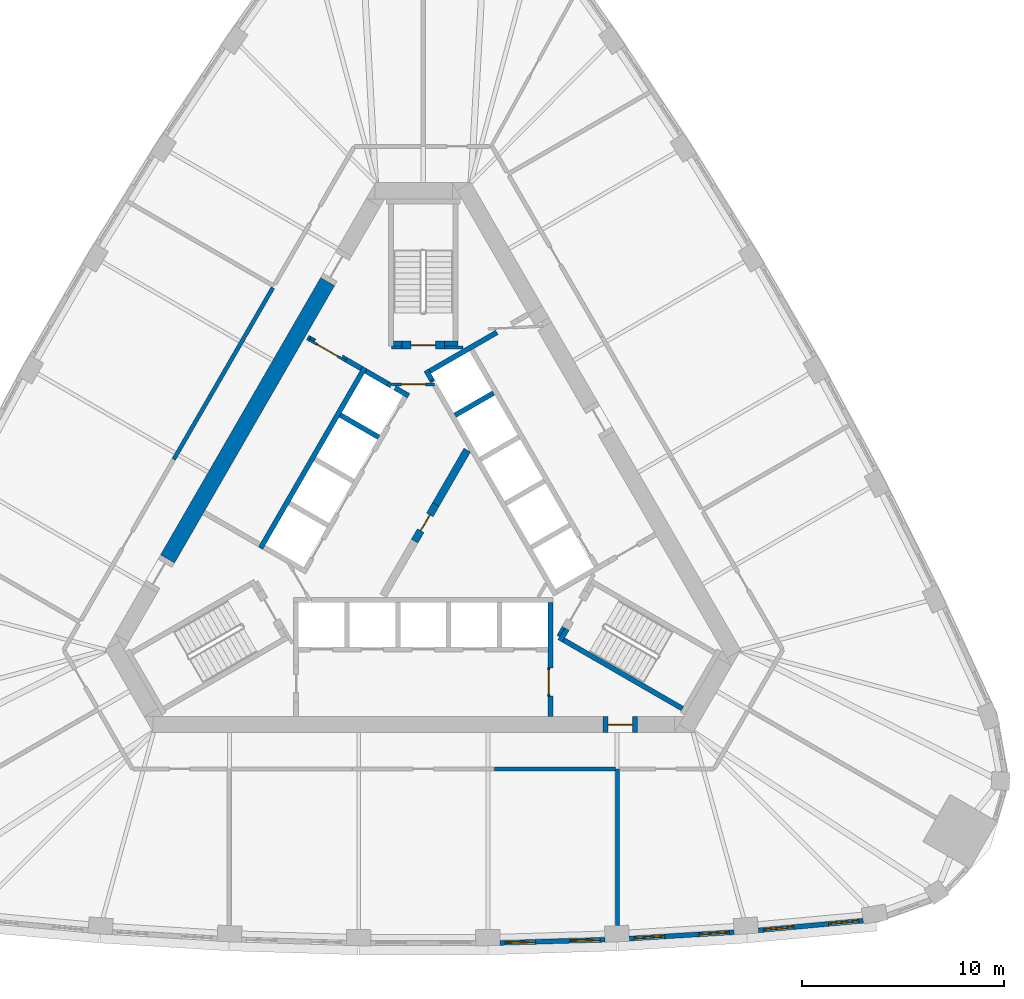
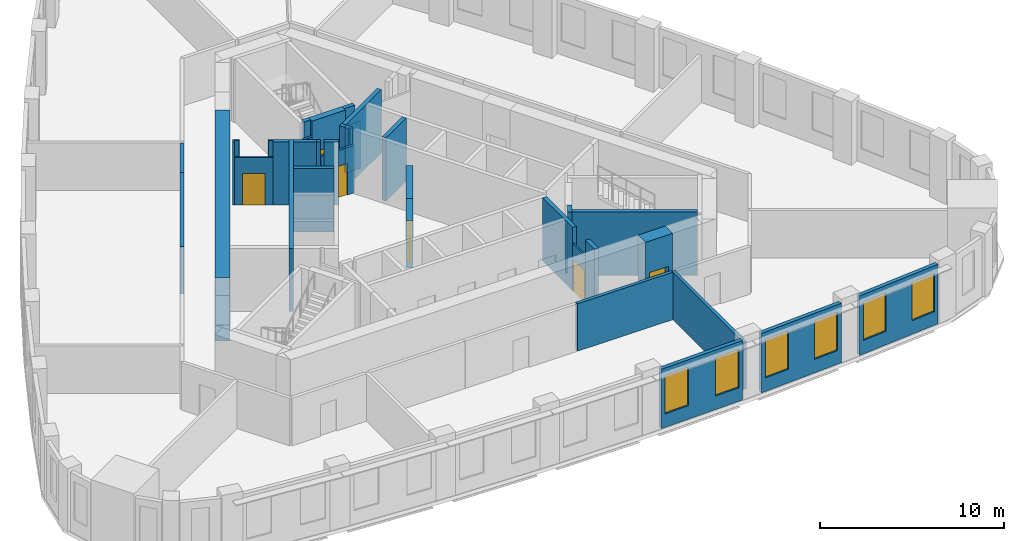
# One storey, part 5 of 9: 37 walls, 6 doors, 6 windows, 12 openings.
"""IFC4 building model written with IfcOpenShell, lengths in metres."""

from ifc_helpers import new_model, si_unit, direction, frame, frame_2d, origin, place, context, subcontext, project, spatial, polyline, rectangle, outline, extrude, material, layer, layer_set, type_object, element, fill, save


model = new_model("IFC4")

# Units and contexts
model_context = context("Model", 3, precision=1e-05, world=origin(), true_north=direction((0.0, 1.0)))
body_context = subcontext(model_context, "Body", "Model", "MODEL_VIEW")
ifc_project = project(units=[si_unit("LENGTHUNIT", "METRE"), si_unit("AREAUNIT", "SQUARE_METRE"), si_unit("VOLUMEUNIT", "CUBIC_METRE"), si_unit("PLANEANGLEUNIT", "RADIAN"), si_unit("MASSUNIT", "GRAM", prefix="KILO")], contexts=[model_context])

# Site, building, storey
site_placement = place(None, origin())
site = spatial("IfcSite", under=ifc_project, at=site_placement, CompositionType="ELEMENT")
building_placement = place(site_placement, origin())
building = spatial("IfcBuilding", under=site, at=building_placement, Name="Mestral Congress Tower", CompositionType="ELEMENT")
storey_placement = place(building_placement, frame((0.0, 0.0, 183.60009765625)))
storey = spatial("IfcBuildingStorey", under=building, at=storey_placement, Name="L43", CompositionType="ELEMENT", Elevation=183.60009765625)

# Walls
ifc_material_1 = material(Name="Fire-rated board partition")
ifc_layer_1 = layer(ifc_material_1, 0.14990234375)
ifc_layer_set_1 = layer_set([ifc_layer_1], Name="Fire-rated board partition")
wall_type_1 = type_object("IfcWallType", Name="Core partition 150", PredefinedType="PARTITIONING", material=ifc_layer_set_1)
wall_1_placement = place(storey_placement, frame((1.050048828125, 8.62548828125, 0.0), z_axis=(0.0, 0.0, 1.0), x_axis=(1.0, 0.0, 0.0)))
element("IfcWall", 1, at=wall_1_placement, inside=storey, type_object=wall_type_1, Name="L43 core wall", PredefinedType="PARTITIONING", context=body_context, shape_type="SweptSolid", body=[
    extrude(rectangle(XDim=0.9287109375, YDim=0.14990234375, at=frame_2d((0.46435546875, 0.0))), origin(), (0.0, 0.0, 1.0), 3.14990234375),
])
for number, where, z_axis, x_axis, name in (
    (2, (-1.56396484375, 8.62548828125, 0.0), (0.0, 0.0, 1.0), (1.0, 0.0, 0.0), "L43 core wall"),
    (3, (6.94482421875, -5.22216796875, 0.0), (0.0, 0.0, 1.0), (-0.499818422106, -0.866130212453, 0.0), "L43 core wall"),
):
    element("IfcWall", number, at=place(storey_placement, frame(where, z_axis=z_axis, x_axis=x_axis)), inside=storey, type_object=wall_type_1, Name=name, PredefinedType="PARTITIONING", context=body_context, shape_type="SweptSolid", body=[
        extrude(rectangle(XDim=0.513916015625, YDim=0.14990234375, at=frame_2d((0.2568359375, 0.0))), origin(), (0.0, 0.0, 1.0), 3.14990234375),
    ])
placement = place(storey_placement, origin())
element("IfcWall", 4, at=placement, inside=storey, type_object=wall_type_1, Name="L43 core wall", PredefinedType="PARTITIONING", context=body_context, shape_type="SweptSolid", body=[
    extrude(outline(polyline([(2.016845703125, 3.64306640625), (2.341552734375, 3.45556640625), (0.784912109375, 0.759521484375), (0.460205078125, 0.947021484375), (2.016845703125, 3.64306640625)])), origin(), (0.0, 0.0, 1.0), 3.14990234375),
])

# Wall, opening, door
wall_3_placement = place(storey_placement, frame((-1.534423828125, 6.800048828125, 0.0), z_axis=(0.0, 0.0, 1.0), x_axis=(1.0, 0.0, 0.0)))
wall_3 = element("IfcWall", 5, at=wall_3_placement, inside=storey, type_object=wall_type_1, Name="L43 door wall", PredefinedType="PARTITIONING", context=body_context, shape_type="SweptSolid", body=[
    extrude(rectangle(XDim=2.099853515625, YDim=0.14990234375, at=frame_2d((1.0498046875, 0.0))), origin(), (0.0, 0.0, 1.0), 3.14990234375),
])
opening_1_placement = place(wall_3_placement, frame((0.449951171875, 0.0, 0.0)))
opening_1 = element("IfcOpeningElement", 6, at=opening_1_placement, cuts=wall_3, Name="Opening CD2-FF", PredefinedType="OPENING", context=body_context, shape_type="SweptSolid", body=[
    extrude(rectangle(XDim=1.199951171875, YDim=2.10009765625, at=frame_2d((0.60009765625, 1.050048828125))), frame((0.0, 0.0849609375, 0.0), z_axis=(0.0, -1.0, 0.0), x_axis=(1.0, 0.0, 0.0)), (0.0, 0.0, 1.0), 0.169921875),
])
ifc_material_2 = material(Name="Fire-rated steel door set", Category="steel")
door_type_1 = type_object("IfcDoorType", Name="Core door CD 1200x2100", OperationType="SINGLE_SWING_LEFT", PredefinedType="DOOR", material=ifc_material_2)
door_1_placement = place(opening_1_placement, origin())
door_1 = element("IfcDoor", 7, at=door_1_placement, inside=storey, type_object=door_type_1, Name="Door CD2-FF", OperationType="SINGLE_SWING_LEFT", OverallHeight=2.10009765625, OverallWidth=1.199951171875, PredefinedType="DOOR", context=body_context, shape_type="SweptSolid", body=[
    extrude(rectangle(XDim=1.199951171875, YDim=2.10009765625, at=frame_2d((0.60009765625, 1.050048828125))), frame((0.0, 0.02490234375, 0.0), z_axis=(0.0, -1.0, 0.0), x_axis=(1.0, 0.0, 0.0)), (0.0, 0.0, 1.0), 0.050048828125),
])
fill(opening_1, door_1)

ifc_layer_2 = layer(ifc_material_1, 0.1201171875)
ifc_layer_set_2 = layer_set([ifc_layer_2], Name="Fire-rated board partition")
wall_type_2 = type_object("IfcWallType", Name="Core partition 150 door-wall 120", PredefinedType="PARTITIONING", material=ifc_layer_set_2)
wall_4_placement = place(storey_placement, frame((-5.65869140625, 9.01171875, 0.0), z_axis=(0.0, 0.0, 1.0), x_axis=(0.866009402589, -0.500027713859, 0.0)))
wall_4 = element("IfcWall", 8, at=wall_4_placement, inside=storey, type_object=wall_type_2, Name="L43 door wall", PredefinedType="PARTITIONING", context=body_context, shape_type="SweptSolid", body=[
    extrude(rectangle(XDim=2.10009765625, YDim=0.1201171875, at=frame_2d((1.050048828125, 0.0))), origin(), (0.0, 0.0, 1.0), 3.14990234375),
])
opening_2_placement = place(wall_4_placement, frame((0.449951171875, 0.0, 0.0)))
opening_2 = element("IfcOpeningElement", 9, at=opening_2_placement, cuts=wall_4, Name="Opening LB2-WL2", PredefinedType="OPENING", context=body_context, shape_type="SweptSolid", body=[
    extrude(rectangle(XDim=1.199951171875, YDim=2.10009765625, at=frame_2d((0.60009765625, 1.050048828125))), frame((0.0, 0.070068359375, 0.0), z_axis=(0.0, -1.0, 0.0), x_axis=(1.0, 0.0, 0.0)), (0.0, 0.0, 1.0), 0.14013671875),
])
door_type_2 = type_object("IfcDoorType", Name="Core door LB 1200x2100", OperationType="SINGLE_SWING_LEFT", PredefinedType="DOOR", material=ifc_material_2)
door_2_placement = place(opening_2_placement, origin())
door_2 = element("IfcDoor", 10, at=door_2_placement, inside=storey, type_object=door_type_2, Name="Door LB2-WL2", OperationType="SINGLE_SWING_LEFT", OverallHeight=2.10009765625, OverallWidth=1.199951171875, PredefinedType="DOOR", context=body_context, shape_type="SweptSolid", body=[
    extrude(rectangle(XDim=1.199951171875, YDim=2.10009765625, at=frame_2d((0.60009765625, 1.050048828125))), frame((0.0, 0.02490234375, 0.0), z_axis=(0.0, -1.0, 0.0), x_axis=(1.0, 0.0, 0.0)), (0.0, 0.0, 1.0), 0.050048828125),
])
fill(opening_2, door_2)

ifc_layer_3 = layer(ifc_material_1, 0.375)
ifc_layer_set_3 = layer_set([ifc_layer_3], Name="Fire-rated board partition")
wall_type_3 = type_object("IfcWallType", Name="Core partition 150 door-wall 375", PredefinedType="PARTITIONING", material=ifc_layer_set_3)
wall_5_placement = place(storey_placement, frame((-0.427490234375, -0.965576171875, 0.0), z_axis=(0.0, 0.0, 1.0), x_axis=(0.49994051562, 0.866059744384, 0.0)))
wall_5 = element("IfcWall", 11, at=wall_5_placement, inside=storey, type_object=wall_type_3, Name="L43 door wall", PredefinedType="PARTITIONING", context=body_context, shape_type="SweptSolid", body=[
    extrude(rectangle(XDim=2.099853515625, YDim=0.375, at=frame_2d((1.0498046875, 0.0))), origin(), (0.0, 0.0, 1.0), 3.14990234375),
])
opening_3_placement = place(wall_5_placement, frame((0.60009765625, 0.0, 0.0)))
opening_3 = element("IfcOpeningElement", 12, at=opening_3_placement, cuts=wall_5, Name="Opening CD1-HUB0", PredefinedType="OPENING", context=body_context, shape_type="SweptSolid", body=[
    extrude(rectangle(XDim=0.89990234375, YDim=2.10009765625, at=frame_2d((0.449951171875, 1.050048828125))), frame((0.0, 0.197509765625, 0.0), z_axis=(0.0, -1.0, 0.0), x_axis=(1.0, 0.0, 0.0)), (0.0, 0.0, 1.0), 0.39501953125),
])
door_type_3 = type_object("IfcDoorType", Name="Core door CD 900x2100", OperationType="SINGLE_SWING_LEFT", PredefinedType="DOOR", material=ifc_material_2)
door_3_placement = place(opening_3_placement, origin())
door_3 = element("IfcDoor", 13, at=door_3_placement, inside=storey, type_object=door_type_3, Name="Door CD1-HUB0", OperationType="SINGLE_SWING_LEFT", OverallHeight=2.10009765625, OverallWidth=0.89990234375, PredefinedType="DOOR", context=body_context, shape_type="SweptSolid", body=[
    extrude(rectangle(XDim=0.89990234375, YDim=2.10009765625, at=frame_2d((0.449951171875, 1.050048828125))), frame((0.0, 0.02490234375, 0.0), z_axis=(0.0, -1.0, 0.0), x_axis=(1.0, 0.0, 0.0)), (0.0, 0.0, 1.0), 0.050048828125),
])
fill(opening_3, door_3)

ifc_layer_4 = layer(ifc_material_1, 0.090087890625)
ifc_layer_set_4 = layer_set([ifc_layer_4], Name="Fire-rated board partition")
wall_type_4 = type_object("IfcWallType", Name="Core partition 150 door-wall 90", PredefinedType="PARTITIONING", material=ifc_layer_set_4)
wall_6_placement = place(storey_placement, frame((6.219970703125, -7.23681640625, 0.0), z_axis=(0.0, 0.0, 1.0), x_axis=(0.0, -1.0, 0.0)))
wall_6 = element("IfcWall", 14, at=wall_6_placement, inside=storey, type_object=wall_type_4, Name="L43 door wall", PredefinedType="PARTITIONING", context=body_context, shape_type="SweptSolid", body=[
    extrude(rectangle(XDim=1.400146484375, YDim=0.090087890625, at=frame_2d((0.7001953125, 0.0))), origin(), (0.0, 0.0, 1.0), 3.14990234375),
])
opening_4_placement = place(wall_6_placement, frame((0.10009765625, 0.0, 0.0)))
opening_4 = element("IfcOpeningElement", 15, at=opening_4_placement, cuts=wall_6, Name="Opening LB0-WL1", PredefinedType="OPENING", context=body_context, shape_type="SweptSolid", body=[
    extrude(rectangle(XDim=1.199951171875, YDim=2.10009765625, at=frame_2d((0.60009765625, 1.050048828125))), frame((0.0, 0.054931640625, 0.0), z_axis=(0.0, -1.0, 0.0), x_axis=(1.0, 0.0, 0.0)), (0.0, 0.0, 1.0), 0.110107421875),
])
door_4_placement = place(opening_4_placement, origin())
door_4 = element("IfcDoor", 16, at=door_4_placement, inside=storey, type_object=door_type_2, Name="Door LB0-WL1", OperationType="SINGLE_SWING_LEFT", OverallHeight=2.10009765625, OverallWidth=1.199951171875, PredefinedType="DOOR", context=body_context, shape_type="SweptSolid", body=[
    extrude(rectangle(XDim=1.199951171875, YDim=2.10009765625, at=frame_2d((0.60009765625, 1.050048828125))), frame((0.0, 0.02490234375, 0.0), z_axis=(0.0, -1.0, 0.0), x_axis=(1.0, 0.0, 0.0)), (0.0, 0.0, 1.0), 0.050048828125),
])
fill(opening_4, door_4)

# Wall
ifc_material_3 = material(Name="Concrete C60/75", Category="concrete")
ifc_layer_5 = layer(ifc_material_3, 0.800048828125)
ifc_layer_set_5 = layer_set([ifc_layer_5], Name="Concrete C60/75")
wall_type_5 = type_object("IfcWallType", Name="Core wall RC 800", PredefinedType="SOLIDWALL", material=ifc_layer_set_5)
wall_7_placement = place(storey_placement, frame((-12.668212890625, -1.841796875, 0.0), z_axis=(0.0, 0.0, 1.0), x_axis=(0.500003640647, 0.866023301845, 0.0)))
element("IfcWall", 17, at=wall_7_placement, inside=storey, type_object=wall_type_5, Name="L43 core wall", PredefinedType="SOLIDWALL", context=body_context, shape_type="SweptSolid", body=[
    extrude(rectangle(XDim=15.8583984375, YDim=0.800048828125, at=frame_2d((7.92919921875, 0.0))), origin(), (0.0, 0.0, 1.0), 4.199951171875),
])

# Wall, opening, door
wall_8_placement = place(storey_placement, frame((10.6044921875, -10.050048828125, 0.0), z_axis=(0.0, 0.0, 1.0), x_axis=(-1.0, 0.0, 0.0)))
wall_8 = element("IfcWall", 18, at=wall_8_placement, inside=storey, type_object=wall_type_5, Name="L43 door wall", PredefinedType="SOLIDWALL", context=body_context, shape_type="SweptSolid", body=[
    extrude(rectangle(XDim=1.699951171875, YDim=0.800048828125, at=frame_2d((0.85009765625, 0.0))), origin(), (0.0, 0.0, 1.0), 4.199951171875),
])
opening_5_placement = place(wall_8_placement, frame((0.25, 0.0, 0.0)))
opening_5 = element("IfcOpeningElement", 19, at=opening_5_placement, cuts=wall_8, Name="Opening XD1", PredefinedType="OPENING", context=body_context, shape_type="SweptSolid", body=[
    extrude(rectangle(XDim=1.199951171875, YDim=2.10009765625, at=frame_2d((0.60009765625, 1.050048828125))), frame((0.0, 0.409912109375, 0.0), z_axis=(0.0, -1.0, 0.0), x_axis=(1.0, 0.0, 0.0)), (0.0, 0.0, 1.0), 0.820068359375),
])
door_type_4 = type_object("IfcDoorType", Name="Core door XD 1200x2100", OperationType="SINGLE_SWING_LEFT", PredefinedType="DOOR", material=ifc_material_2)
door_5_placement = place(opening_5_placement, origin())
door_5 = element("IfcDoor", 20, at=door_5_placement, inside=storey, type_object=door_type_4, Name="Door XD1", OperationType="SINGLE_SWING_LEFT", OverallHeight=2.10009765625, OverallWidth=1.199951171875, PredefinedType="DOOR", context=body_context, shape_type="SweptSolid", body=[
    extrude(rectangle(XDim=1.199951171875, YDim=2.10009765625, at=frame_2d((0.60009765625, 1.050048828125))), frame((0.0, 0.02490234375, 0.0), z_axis=(0.0, -1.0, 0.0), x_axis=(1.0, 0.0, 0.0)), (0.0, 0.0, 1.0), 0.050048828125),
])
fill(opening_5, door_5)

# Wall, openings, windows
ifc_material_4 = material(Name="Precast concrete C40/50 with limestone facing", Category="masonry")
ifc_layer_6 = layer(ifc_material_4, 0.239990234375)
ifc_layer_set_6 = layer_set([ifc_layer_6], Name="Precast concrete C40/50 with limestone facing")
wall_type_6 = type_object("IfcWallType", Name="Facade stone wall 240", PredefinedType="SOLIDWALL", material=ifc_layer_set_6)
wall_9_placement = place(storey_placement, frame((3.80615234375, -20.869873046875, 0.0), z_axis=(0.0, 0.0, 1.0), x_axis=(0.999533441983, 0.030543384845, 0.0)))
wall_9 = element("IfcWall", 21, at=wall_9_placement, inside=storey, type_object=wall_type_6, Name="Facade wall F0-04", PredefinedType="SOLIDWALL", context=body_context, shape_type="SweptSolid", body=[
    extrude(rectangle(XDim=5.20361328125, YDim=0.239990234375, at=frame_2d((2.601806640625, 0.0))), origin(), (0.0, 0.0, 1.0), 3.949951171875),
])
opening_6_placement = place(wall_9_placement, frame((0.248291015625, 0.0, 0.89990234375)))
opening_6 = element("IfcOpeningElement", 22, at=opening_6_placement, cuts=wall_9, Name="Opening W4", PredefinedType="OPENING", context=body_context, shape_type="SweptSolid", body=[
    extrude(rectangle(XDim=1.5, YDim=2.550048828125, at=frame_2d((0.75, 1.27490234375))), frame((0.0, 0.1298828125, 0.0), z_axis=(0.0, -1.0, 0.0), x_axis=(1.0, 0.0, 0.0)), (0.0, 0.0, 1.0), 0.260009765625),
])
opening_7_placement = place(wall_9_placement, frame((3.455078125, 0.0, 0.89990234375)))
opening_7 = element("IfcOpeningElement", 23, at=opening_7_placement, cuts=wall_9, Name="Opening W4", PredefinedType="OPENING", context=body_context, shape_type="SweptSolid", body=[
    extrude(rectangle(XDim=1.5, YDim=2.550048828125, at=frame_2d((0.75, 1.27490234375))), frame((0.0, 0.1298828125, 0.0), z_axis=(0.0, -1.0, 0.0), x_axis=(1.0, 0.0, 0.0)), (0.0, 0.0, 1.0), 0.260009765625),
])
ifc_material_5 = material(Name="Clear low-emissivity double glazing", Category="glass")
window_type = type_object("IfcWindowType", Name="Facade punched window 1500 x 2550 sill 900", PartitioningType="SINGLE_PANEL", PredefinedType="WINDOW", material=ifc_material_5)
window_1_placement = place(opening_6_placement, origin())
window_1 = element("IfcWindow", 24, at=window_1_placement, inside=storey, type_object=window_type, Name="Window F0-04a", OverallHeight=2.550048828125, OverallWidth=1.5, PartitioningType="SINGLE_PANEL", PredefinedType="WINDOW", context=body_context, shape_type="SweptSolid", body=[
    extrude(rectangle(XDim=1.5, YDim=2.550048828125, at=frame_2d((0.75, 1.27490234375))), frame((0.0, 0.0400390625, 0.0), z_axis=(0.0, -1.0, 0.0), x_axis=(1.0, 0.0, 0.0)), (0.0, 0.0, 1.0), 0.06005859375),
])
fill(opening_6, window_1)
window_2_placement = place(opening_7_placement, origin())
window_2 = element("IfcWindow", 25, at=window_2_placement, inside=storey, type_object=window_type, Name="Window F0-04b", OverallHeight=2.550048828125, OverallWidth=1.5, PartitioningType="SINGLE_PANEL", PredefinedType="WINDOW", context=body_context, shape_type="SweptSolid", body=[
    extrude(rectangle(XDim=1.5, YDim=2.550048828125, at=frame_2d((0.75, 1.27490234375))), frame((0.0, 0.0400390625, 0.0), z_axis=(0.0, -1.0, 0.0), x_axis=(1.0, 0.0, 0.0)), (0.0, 0.0, 1.0), 0.06005859375),
])
fill(opening_7, window_2)

wall_10_placement = place(storey_placement, frame((10.210693359375, -20.656005859375, 0.0), z_axis=(0.0, 0.0, 1.0), x_axis=(0.998135294646, 0.061040425794, 0.0)))
wall_10 = element("IfcWall", 26, at=wall_10_placement, inside=storey, type_object=wall_type_6, Name="Facade wall F0-05", PredefinedType="SOLIDWALL", context=body_context, shape_type="SweptSolid", body=[
    extrude(rectangle(XDim=5.20361328125, YDim=0.239990234375, at=frame_2d((2.601806640625, 0.0))), origin(), (0.0, 0.0, 1.0), 3.949951171875),
])
opening_8_placement = place(wall_10_placement, frame((0.248291015625, 0.0, 0.89990234375)))
opening_8 = element("IfcOpeningElement", 27, at=opening_8_placement, cuts=wall_10, Name="Opening W4", PredefinedType="OPENING", context=body_context, shape_type="SweptSolid", body=[
    extrude(rectangle(XDim=1.5, YDim=2.550048828125, at=frame_2d((0.75, 1.27490234375))), frame((0.0, 0.1298828125, 0.0), z_axis=(0.0, -1.0, 0.0), x_axis=(1.0, 0.0, 0.0)), (0.0, 0.0, 1.0), 0.260009765625),
])
opening_9_placement = place(wall_10_placement, frame((3.455078125, 0.0, 0.89990234375)))
opening_9 = element("IfcOpeningElement", 28, at=opening_9_placement, cuts=wall_10, Name="Opening W4", PredefinedType="OPENING", context=body_context, shape_type="SweptSolid", body=[
    extrude(rectangle(XDim=1.5, YDim=2.550048828125, at=frame_2d((0.75, 1.27490234375))), frame((0.0, 0.1298828125, 0.0), z_axis=(0.0, -1.0, 0.0), x_axis=(1.0, 0.0, 0.0)), (0.0, 0.0, 1.0), 0.260009765625),
])
window_3_placement = place(opening_8_placement, origin())
window_3 = element("IfcWindow", 29, at=window_3_placement, inside=storey, type_object=window_type, Name="Window F0-05a", OverallHeight=2.550048828125, OverallWidth=1.5, PartitioningType="SINGLE_PANEL", PredefinedType="WINDOW", context=body_context, shape_type="SweptSolid", body=[
    extrude(rectangle(XDim=1.5, YDim=2.550048828125, at=frame_2d((0.75, 1.27490234375))), frame((0.0, 0.0400390625, 0.0), z_axis=(0.0, -1.0, 0.0), x_axis=(1.0, 0.0, 0.0)), (0.0, 0.0, 1.0), 0.06005859375),
])
fill(opening_8, window_3)
window_4_placement = place(opening_9_placement, origin())
window_4 = element("IfcWindow", 30, at=window_4_placement, inside=storey, type_object=window_type, Name="Window F0-05b", OverallHeight=2.550048828125, OverallWidth=1.5, PartitioningType="SINGLE_PANEL", PredefinedType="WINDOW", context=body_context, shape_type="SweptSolid", body=[
    extrude(rectangle(XDim=1.5, YDim=2.550048828125, at=frame_2d((0.75, 1.27490234375))), frame((0.0, 0.0400390625, 0.0), z_axis=(0.0, -1.0, 0.0), x_axis=(1.0, 0.0, 0.0)), (0.0, 0.0, 1.0), 0.06005859375),
])
fill(opening_9, window_4)

wall_11_placement = place(storey_placement, frame((16.605712890625, -20.24658203125, 0.0), z_axis=(0.0, 0.0, 1.0), x_axis=(0.995808712151, 0.091460422067, 0.0)))
wall_11 = element("IfcWall", 31, at=wall_11_placement, inside=storey, type_object=wall_type_6, Name="Facade wall F0-06", PredefinedType="SOLIDWALL", context=body_context, shape_type="SweptSolid", body=[
    extrude(rectangle(XDim=5.213134765625, YDim=0.239990234375, at=frame_2d((2.6064453125, 0.0))), origin(), (0.0, 0.0, 1.0), 3.949951171875),
])
opening_10_placement = place(wall_11_placement, frame((0.2607421875, 0.0, 0.89990234375)))
opening_10 = element("IfcOpeningElement", 32, at=opening_10_placement, cuts=wall_11, Name="Opening W4", PredefinedType="OPENING", context=body_context, shape_type="SweptSolid", body=[
    extrude(rectangle(XDim=1.5, YDim=2.550048828125, at=frame_2d((0.75, 1.27490234375))), frame((0.0, 0.1298828125, 0.0), z_axis=(0.0, -1.0, 0.0), x_axis=(1.0, 0.0, 0.0)), (0.0, 0.0, 1.0), 0.260009765625),
])
opening_11_placement = place(wall_11_placement, frame((3.492431640625, 0.0, 0.89990234375)))
opening_11 = element("IfcOpeningElement", 33, at=opening_11_placement, cuts=wall_11, Name="Opening W4", PredefinedType="OPENING", context=body_context, shape_type="SweptSolid", body=[
    extrude(rectangle(XDim=1.5, YDim=2.550048828125, at=frame_2d((0.75, 1.27490234375))), frame((0.0, 0.1298828125, 0.0), z_axis=(0.0, -1.0, 0.0), x_axis=(1.0, 0.0, 0.0)), (0.0, 0.0, 1.0), 0.260009765625),
])
window_5_placement = place(opening_10_placement, origin())
window_5 = element("IfcWindow", 34, at=window_5_placement, inside=storey, type_object=window_type, Name="Window F0-06a", OverallHeight=2.550048828125, OverallWidth=1.5, PartitioningType="SINGLE_PANEL", PredefinedType="WINDOW", context=body_context, shape_type="SweptSolid", body=[
    extrude(rectangle(XDim=1.5, YDim=2.550048828125, at=frame_2d((0.75, 1.27490234375))), frame((0.0, 0.0400390625, 0.0), z_axis=(0.0, -1.0, 0.0), x_axis=(1.0, 0.0, 0.0)), (0.0, 0.0, 1.0), 0.06005859375),
])
fill(opening_10, window_5)
window_6_placement = place(opening_11_placement, origin())
window_6 = element("IfcWindow", 35, at=window_6_placement, inside=storey, type_object=window_type, Name="Window F0-06b", OverallHeight=2.550048828125, OverallWidth=1.5, PartitioningType="SINGLE_PANEL", PredefinedType="WINDOW", context=body_context, shape_type="SweptSolid", body=[
    extrude(rectangle(XDim=1.5, YDim=2.550048828125, at=frame_2d((0.75, 1.27490234375))), frame((0.0, 0.0400390625, 0.0), z_axis=(0.0, -1.0, 0.0), x_axis=(1.0, 0.0, 0.0)), (0.0, 0.0, 1.0), 0.06005859375),
])
fill(opening_11, window_6)

# Walls
ifc_material_6 = material(Name="Dense masonry wall, plastered", Category="masonry")
ifc_layer_7 = layer(ifc_material_6, 0.199951171875)
ifc_layer_set_7 = layer_set([ifc_layer_7], Name="Dense masonry wall, plastered")
wall_type_7 = type_object("IfcWallType", Name="Office tenancy wall 200", PredefinedType="PARTITIONING", material=ifc_layer_set_7)
wall_12_placement = place(storey_placement, frame((9.6171875, -12.25, 0.0), z_axis=(0.0, 0.0, 1.0), x_axis=(0.0, -1.0, 0.0)))
element("IfcWall", 36, at=wall_12_placement, inside=storey, type_object=wall_type_7, Name="Tenancy wall", PredefinedType="PARTITIONING", context=body_context, shape_type="SweptSolid", body=[
    extrude(rectangle(XDim=7.761474609375, YDim=0.199951171875, at=frame_2d((3.880859375, 0.0))), origin(), (0.0, 0.0, 1.0), 3.14990234375),
])
wall_13_placement = place(storey_placement, frame((3.530029296875, -12.25, 0.0), z_axis=(0.0, 0.0, 1.0), x_axis=(1.0, 0.0, 0.0)))
element("IfcWall", 37, at=wall_13_placement, inside=storey, type_object=wall_type_7, Name="Tenancy wall", PredefinedType="PARTITIONING", context=body_context, shape_type="SweptSolid", body=[
    extrude(rectangle(XDim=5.987060546875, YDim=0.199951171875, at=frame_2d((2.99365234375, 0.0))), origin(), (0.0, 0.0, 1.0), 3.14990234375),
])
wall_14_placement = place(storey_placement, frame((-8.85888671875, 9.156005859375, 0.0), z_axis=(0.0, 0.0, 1.0), x_axis=(-0.500010275428, -0.866019471182, 0.0)))
element("IfcWall", 38, at=wall_14_placement, inside=storey, type_object=wall_type_7, Name="Tenancy wall", PredefinedType="PARTITIONING", context=body_context, shape_type="SweptSolid", body=[
    extrude(rectangle(XDim=6.999755859375, YDim=0.199951171875, at=frame_2d((3.5, 0.0))), origin(), (0.0, 0.0, 1.0), 3.14990234375),
])
wall_15_placement = place(storey_placement, frame((-7.452880859375, 11.59130859375, 0.0), z_axis=(0.0, 0.0, 1.0), x_axis=(-0.499980749935, -0.866036517529, 0.0)))
element("IfcWall", 39, at=wall_15_placement, inside=storey, type_object=wall_type_7, Name="Tenancy wall", PredefinedType="PARTITIONING", context=body_context, shape_type="SweptSolid", body=[
    extrude(rectangle(XDim=2.78173828125, YDim=0.199951171875, at=frame_2d((1.390869140625, 0.0))), origin(), (0.0, 0.0, 1.0), 3.14990234375),
])
ifc_layer_8 = layer(ifc_material_3, 0.25)
ifc_layer_set_8 = layer_set([ifc_layer_8], Name="Concrete C60/75")
wall_type_8 = type_object("IfcWallType", Name="Shaft wall RC 250", PredefinedType="SOLIDWALL", material=ifc_layer_set_8)
wall_16_placement = place(storey_placement, frame((6.300048828125, -7.239990234375, 0.0), z_axis=(0.0, 0.0, 1.0), x_axis=(0.0, 1.0, 0.0)))
element("IfcWall", 40, at=wall_16_placement, inside=storey, type_object=wall_type_8, Name="L43 core wall", PredefinedType="SOLIDWALL", context=body_context, shape_type="SweptSolid", body=[
    extrude(rectangle(XDim=3.239990234375, YDim=0.25, at=frame_2d((1.6201171875, 0.0))), origin(), (0.0, 0.0, 1.0), 4.199951171875),
])
wall_17_placement = place(storey_placement, frame((6.300048828125, -9.64990234375, 0.0), z_axis=(0.0, 0.0, 1.0), x_axis=(0.0, 1.0, 0.0)))
element("IfcWall", 41, at=wall_17_placement, inside=storey, type_object=wall_type_8, Name="L43 core wall", PredefinedType="SOLIDWALL", context=body_context, shape_type="SweptSolid", body=[
    extrude(rectangle(XDim=1.0078125, YDim=0.25, at=frame_2d((0.50390625, 0.0))), origin(), (0.0, 0.0, 1.0), 4.199951171875),
])
wall_18_placement = place(storey_placement, frame((0.473388671875, 6.93017578125, 0.0), z_axis=(0.0, 0.0, 1.0), x_axis=(-0.49972245349, 0.866185586049, 0.0)))
element("IfcWall", 42, at=wall_18_placement, inside=storey, type_object=wall_type_8, Name="L43 core wall", PredefinedType="SOLIDWALL", context=body_context, shape_type="SweptSolid", body=[
    extrude(rectangle(XDim=0.10986328125, YDim=0.25, at=frame_2d((0.054931640625, 0.0))), origin(), (0.0, 0.0, 1.0), 4.199951171875),
])
wall_19_placement = place(storey_placement, frame((0.41748046875, 7.027099609375, 0.0), z_axis=(0.0, 0.0, 1.0), x_axis=(-0.500210807569, 0.865903659763, 0.0)))
element("IfcWall", 43, at=wall_19_placement, inside=storey, type_object=wall_type_8, Name="L43 core wall", PredefinedType="SOLIDWALL", context=body_context, shape_type="SweptSolid", body=[
    extrude(rectangle(XDim=0.548095703125, YDim=0.25, at=frame_2d((0.27392578125, 0.0))), origin(), (0.0, 0.0, 1.0), 4.199951171875),
])
wall_20_placement = place(storey_placement, frame((3.647216796875, 9.38037109375, 0.0), z_axis=(0.0, 0.0, 1.0), x_axis=(-0.866025015791, -0.500000672024, 0.0)))
element("IfcWall", 44, at=wall_20_placement, inside=storey, type_object=wall_type_8, Name="L43 core wall", PredefinedType="SOLIDWALL", context=body_context, shape_type="SweptSolid", body=[
    extrude(rectangle(XDim=3.8486328125, YDim=0.25, at=frame_2d((1.92431640625, 0.0))), origin(), (0.0, 0.0, 1.0), 4.199951171875),
])
wall_21_placement = place(storey_placement, frame((1.57421875, 5.273681640625, 0.0), z_axis=(0.0, 0.0, 1.0), x_axis=(0.866028486751, 0.499994660107, 0.0)))
element("IfcWall", 45, at=wall_21_placement, inside=storey, type_object=wall_type_8, Name="L43 core wall", PredefinedType="SOLIDWALL", context=body_context, shape_type="SweptSolid", body=[
    extrude(rectangle(XDim=2.19970703125, YDim=0.25, at=frame_2d((1.099853515625, 0.0))), origin(), (0.0, 0.0, 1.0), 4.199951171875),
])
wall_22_placement = place(storey_placement, frame((-8.06005859375, -1.310546875, 0.0), z_axis=(0.0, 0.0, 1.0), x_axis=(0.50000273126, 0.866023826885, 0.0)))
element("IfcWall", 46, at=wall_22_placement, inside=storey, type_object=wall_type_8, Name="L43 core wall", PredefinedType="SOLIDWALL", context=body_context, shape_type="SweptSolid", body=[
    extrude(rectangle(XDim=10.330078125, YDim=0.25, at=frame_2d((5.1650390625, 0.0))), origin(), (0.0, 0.0, 1.0), 4.199951171875),
])
wall_23_placement = place(storey_placement, frame((-1.75830078125, 6.834716796875, 0.0), z_axis=(0.0, 0.0, 1.0), x_axis=(0.865982457891, -0.500074377092, 0.0)))
element("IfcWall", 47, at=wall_23_placement, inside=storey, type_object=wall_type_8, Name="L43 core wall", PredefinedType="SOLIDWALL", context=body_context, shape_type="SweptSolid", body=[
    extrude(rectangle(XDim=0.2001953125, YDim=0.25, at=frame_2d((0.10009765625, 0.0))), origin(), (0.0, 0.0, 1.0), 4.199951171875),
])
wall_24_placement = place(storey_placement, frame((-1.760009765625, 6.835693359375, 0.0), z_axis=(0.0, 0.0, 1.0), x_axis=(-0.865952863304, 0.500125622755, 0.0)))
element("IfcWall", 48, at=wall_24_placement, inside=storey, type_object=wall_type_8, Name="L43 core wall", PredefinedType="SOLIDWALL", context=body_context, shape_type="SweptSolid", body=[
    extrude(rectangle(XDim=1.258056640625, YDim=0.25, at=frame_2d((0.62890625, 0.0))), origin(), (0.0, 0.0, 1.0), 4.199951171875),
])
wall_25_placement = place(storey_placement, frame((-0.7275390625, 6.23974609375, 0.0), z_axis=(0.0, 0.0, 1.0), x_axis=(-0.865955664968, 0.500120771724, 0.0)))
element("IfcWall", 49, at=wall_25_placement, inside=storey, type_object=wall_type_8, Name="L43 core wall", PredefinedType="SOLIDWALL", context=body_context, shape_type="SweptSolid", body=[
    extrude(rectangle(XDim=0.778076171875, YDim=0.25, at=frame_2d((0.38916015625, 0.0))), origin(), (0.0, 0.0, 1.0), 4.199951171875),
])
wall_26_placement = place(storey_placement, frame((-2.2041015625, 4.182373046875, 0.0), z_axis=(0.0, 0.0, 1.0), x_axis=(-0.866008176907, 0.50002983664, 0.0)))
element("IfcWall", 50, at=wall_26_placement, inside=storey, type_object=wall_type_8, Name="L43 core wall", PredefinedType="SOLIDWALL", context=body_context, shape_type="SweptSolid", body=[
    extrude(rectangle(XDim=2.199951171875, YDim=0.25, at=frame_2d((1.10009765625, 0.0))), origin(), (0.0, 0.0, 1.0), 4.199951171875),
])
wall_27_placement = place(storey_placement, frame((-5.724609375, 9.124755859375, 0.0), z_axis=(0.0, 0.0, 1.0), x_axis=(0.866185586049, -0.49972245349, 0.0)))
element("IfcWall", 51, at=wall_27_placement, inside=storey, type_object=wall_type_8, Name="L43 core wall", PredefinedType="SOLIDWALL", context=body_context, shape_type="SweptSolid", body=[
    extrude(rectangle(XDim=0.10986328125, YDim=0.25, at=frame_2d((0.054931640625, 0.0))), origin(), (0.0, 0.0, 1.0), 4.199951171875),
])
wall_28_placement = place(storey_placement, frame((-3.06591796875, 7.58984375, 0.0), z_axis=(0.0, 0.0, 1.0), x_axis=(-0.866081358704, 0.49990307071, 0.0)))
element("IfcWall", 52, at=wall_28_placement, inside=storey, type_object=wall_type_8, Name="L43 core wall", PredefinedType="SOLIDWALL", context=body_context, shape_type="SweptSolid", body=[
    extrude(rectangle(XDim=0.858154296875, YDim=0.25, at=frame_2d((0.42919921875, 0.0))), origin(), (0.0, 0.0, 1.0), 4.199951171875),
])
element("IfcWall", 53, at=placement, inside=storey, type_object=wall_type_8, Name="L43 core wall", PredefinedType="SOLIDWALL", context=body_context, shape_type="SweptSolid", body=[
    extrude(outline(polyline([(-3.748291015625, 8.1279296875), (-3.813232421875, 8.015380859375), (-4.026611328125, 8.138671875), (-4.0166015625, 8.156005859375), (-4.007568359375, 8.17333984375), (-4.000244140625, 8.191650390625), (-3.994873046875, 8.21044921875), (-3.991455078125, 8.229736328125), (-3.98974609375, 8.24951171875), (-3.989990234375, 8.267578125), (-3.748291015625, 8.1279296875)])), origin(), (0.0, 0.0, 1.0), 4.199951171875),
])
element("IfcWall", 54, at=placement, inside=storey, type_object=wall_type_8, Name="L43 core wall", PredefinedType="SOLIDWALL", context=body_context, shape_type="SweptSolid", body=[
    extrude(outline(polyline([(-5.688720703125, 8.959716796875), (-5.690185546875, 8.960693359375), (-5.565185546875, 9.177001953125), (-5.318603515625, 9.03466796875), (-5.334716796875, 9.02587890625), (-5.3505859375, 9.0146484375), (-5.36572265625, 9.001953125), (-5.37939453125, 8.98779296875), (-5.3916015625, 8.972412109375), (-5.402099609375, 8.955810546875), (-5.412109375, 8.938720703125), (-5.628662109375, 9.063720703125), (-5.628662109375, 9.063720703125), (-5.688720703125, 8.959716796875)])), origin(), (0.0, 0.0, 1.0), 4.199951171875),
])
ifc_layer_9 = layer(ifc_material_3, 0.25)
ifc_layer_set_9 = layer_set([ifc_layer_9], Name="Concrete C60/75")
wall_type_9 = type_object("IfcWallType", Name="Stair wall RC 250", PredefinedType="SOLIDWALL", material=ifc_layer_set_9)
wall_31_placement = place(storey_placement, frame((12.83984375, -9.2607421875, 0.0), z_axis=(0.0, 0.0, 1.0), x_axis=(-0.866013990052, 0.500019768644, 0.0)))
element("IfcWall", 55, at=wall_31_placement, inside=storey, type_object=wall_type_9, Name="L43 core wall", PredefinedType="SOLIDWALL", context=body_context, shape_type="SweptSolid", body=[
    extrude(rectangle(XDim=6.800048828125, YDim=0.25, at=frame_2d((3.39990234375, 0.0))), origin(), (0.0, 0.0, 1.0), 4.199951171875),
])
for number, where, z_axis, x_axis, name in (
    (56, (6.780029296875, -5.906494140625, 0.0), (0.0, 0.0, 1.0), (0.500223362819, 0.865896406789, 0.0), "L43 core wall"),
    (57, (1.050048828125, 8.824951171875, 0.0), (0.0, 0.0, 1.0), (1.0, 0.0, 0.0), "L43 core wall"),
):
    element("IfcWall", number, at=place(storey_placement, frame(where, z_axis=z_axis, x_axis=x_axis)), inside=storey, type_object=wall_type_9, Name=name, PredefinedType="SOLIDWALL", context=body_context, shape_type="SweptSolid", body=[
        extrude(rectangle(XDim=0.675048828125, YDim=0.25, at=frame_2d((0.33740234375, 0.0))), origin(), (0.0, 0.0, 1.0), 4.199951171875),
    ])
wall_32_placement = place(storey_placement, frame((-1.47509765625, 8.824951171875, 0.0), z_axis=(0.0, 0.0, 1.0), x_axis=(1.0, 0.0, 0.0)))
element("IfcWall", 58, at=wall_32_placement, inside=storey, type_object=wall_type_9, Name="L43 core wall", PredefinedType="SOLIDWALL", context=body_context, shape_type="SweptSolid", body=[
    extrude(rectangle(XDim=0.425048828125, YDim=0.25, at=frame_2d((0.21240234375, 0.0))), origin(), (0.0, 0.0, 1.0), 4.199951171875),
])

# Wall, opening, door
ifc_layer_10 = layer(ifc_material_3, 0.39990234375)
ifc_layer_set_10 = layer_set([ifc_layer_10], Name="Concrete C60/75")
wall_type_10 = type_object("IfcWallType", Name="Stair wall RC 250 door-wall 400", PredefinedType="SOLIDWALL", material=ifc_layer_set_10)
wall_33_placement = place(storey_placement, frame((1.050048828125, 8.75, 0.0), z_axis=(0.0, 0.0, 1.0), x_axis=(-1.0, 0.0, 0.0)))
wall_33 = element("IfcWall", 59, at=wall_33_placement, inside=storey, type_object=wall_type_10, Name="L43 door wall", PredefinedType="SOLIDWALL", context=body_context, shape_type="SweptSolid", body=[
    extrude(rectangle(XDim=2.10009765625, YDim=0.39990234375, at=frame_2d((1.050048828125, 0.0))), origin(), (0.0, 0.0, 1.0), 4.199951171875),
])
opening_12_placement = place(wall_33_placement, frame((0.449951171875, 0.0, 0.0)))
opening_12 = element("IfcOpeningElement", 60, at=opening_12_placement, cuts=wall_33, Name="Opening ST-D2", PredefinedType="OPENING", context=body_context, shape_type="SweptSolid", body=[
    extrude(rectangle(XDim=1.199951171875, YDim=2.10009765625, at=frame_2d((0.60009765625, 1.050048828125))), frame((0.0, 0.2099609375, 0.0), z_axis=(0.0, -1.0, 0.0), x_axis=(1.0, 0.0, 0.0)), (0.0, 0.0, 1.0), 0.419921875),
])
door_type_5 = type_object("IfcDoorType", Name="Core door ST 1200x2100", OperationType="SINGLE_SWING_LEFT", PredefinedType="DOOR", material=ifc_material_2)
door_6_placement = place(opening_12_placement, origin())
door_6 = element("IfcDoor", 61, at=door_6_placement, inside=storey, type_object=door_type_5, Name="Door ST-D2", OperationType="SINGLE_SWING_LEFT", OverallHeight=2.10009765625, OverallWidth=1.199951171875, PredefinedType="DOOR", context=body_context, shape_type="SweptSolid", body=[
    extrude(rectangle(XDim=1.199951171875, YDim=2.10009765625, at=frame_2d((0.60009765625, 1.050048828125))), frame((0.0, 0.02490234375, 0.0), z_axis=(0.0, -1.0, 0.0), x_axis=(1.0, 0.0, 0.0)), (0.0, 0.0, 1.0), 0.050048828125),
])
fill(opening_12, door_6)

save(model, "model.ifc")
